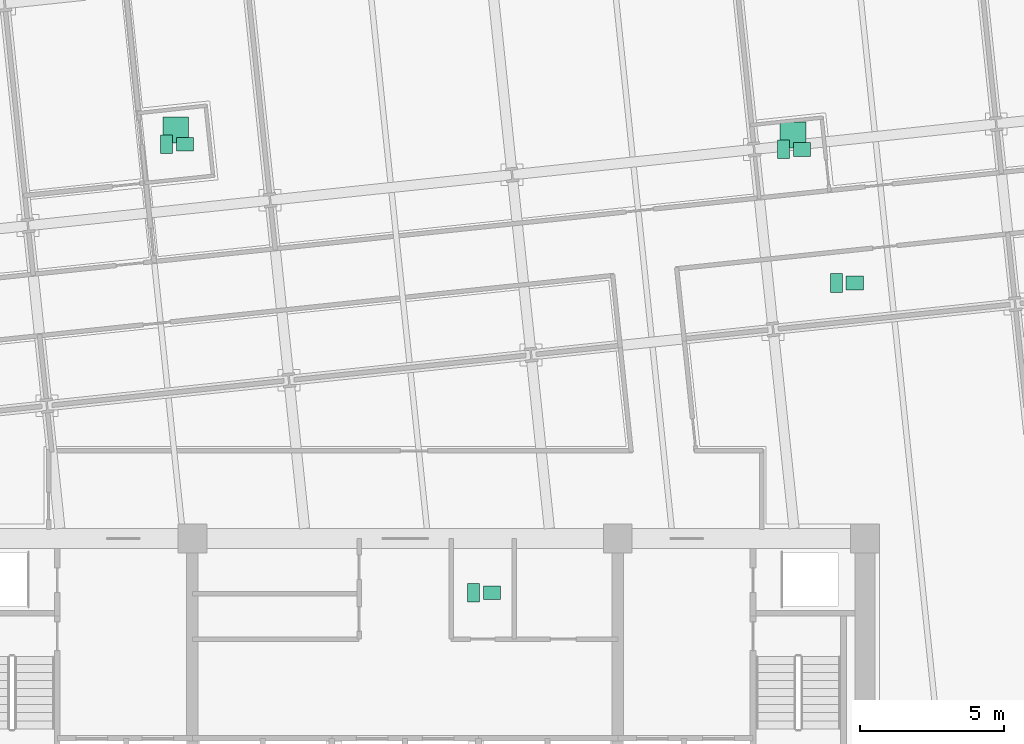
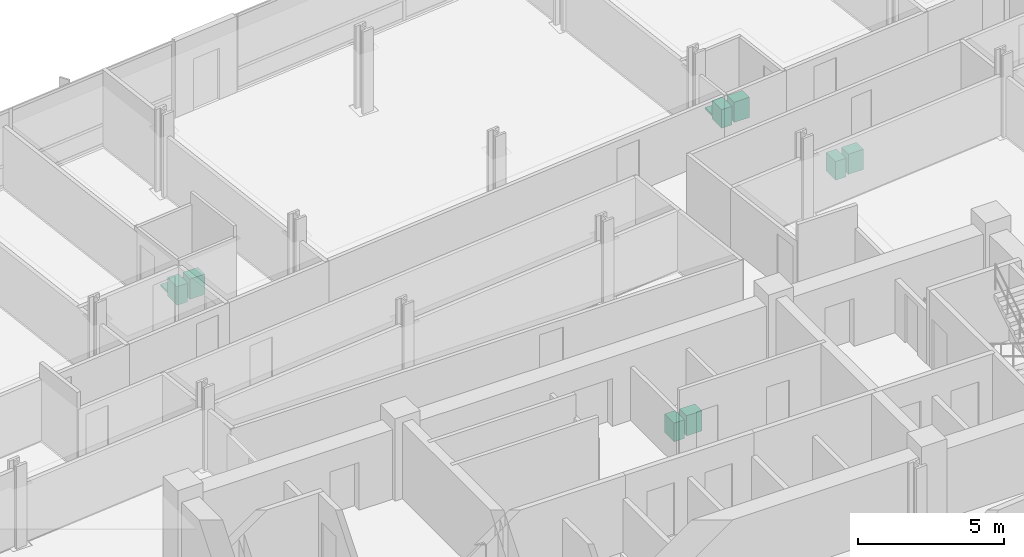
# One storey, part 21 of 21: 10 sanitary terminals.
"""IFC4 building model written with IfcOpenShell, lengths in metres."""

from ifc_helpers import new_model, si_unit, direction, frame, origin, origin_2d, place, context, subcontext, project, spatial, rectangle, extrude, material, type_object, element, save


model = new_model("IFC4")

# Units and contexts
model_context = context("Model", 3, precision=1e-05, world=origin(), true_north=direction((0.0, 1.0)))
body_context = subcontext(model_context, "Body", "Model", "MODEL_VIEW")
ifc_project = project(units=[si_unit("LENGTHUNIT", "METRE"), si_unit("AREAUNIT", "SQUARE_METRE"), si_unit("VOLUMEUNIT", "CUBIC_METRE"), si_unit("PLANEANGLEUNIT", "RADIAN"), si_unit("MASSUNIT", "GRAM", prefix="KILO")], contexts=[model_context])

# Site, building, storey
site_placement = place(None, origin())
site = spatial("IfcSite", under=ifc_project, at=site_placement, CompositionType="ELEMENT")
building_placement = place(site_placement, origin())
building = spatial("IfcBuilding", under=site, at=building_placement, Name="Solmavex Isthmus Hotel", CompositionType="ELEMENT")
storey_placement = place(building_placement, frame((0.0, 0.0, 106.35009765625)))
storey = spatial("IfcBuildingStorey", under=building, at=storey_placement, Name="L28", CompositionType="ELEMENT", Elevation=106.35009765625)

# Sanitary terminals
ifc_material = material(Name="Vitreous china ceramic", Category="ceramic")
sanitary_terminal_type_1 = type_object("IfcSanitaryTerminalType", Name="SAN-BASIN", PredefinedType="WASHHANDBASIN", material=ifc_material)
for number, where, z_axis, x_axis, name in (
    (1, (3.02001953125, -4.385009765625, -0.000244140625), (0.0, 0.0, 1.0), (1.0, 0.0, 0.0), "Vanity Washbasin L28-129"),
    (2, (-7.65673828125, 11.2119140625, -0.000244140625), (0.0, 0.0, 1.0), (1.0, 0.0, 0.0), "Vanity Washbasin L28-130"),
    (3, (13.805908203125, 11.036865234375, -0.000244140625), (0.0, 0.0, 1.0), (1.0, 0.0, 0.0), "Vanity Washbasin L28-131"),
    (4, (15.6416015625, 6.38818359375, -0.000244140625), (0.0, 0.0, 1.0), (1.0, 0.0, 0.0), "Vanity Washbasin L28-132"),
):
    element("IfcSanitaryTerminal", number, at=place(storey_placement, frame(where, z_axis=z_axis, x_axis=x_axis)), inside=storey, type_object=sanitary_terminal_type_1, Name=name, PredefinedType="WASHHANDBASIN", context=body_context, shape_type="SweptSolid", body=[
        extrude(rectangle(XDim=0.60009765625, YDim=0.47998046875, at=origin_2d()), origin(), (0.0, 0.0, 1.0), 0.85009765625),
    ])
sanitary_terminal_type_2 = type_object("IfcSanitaryTerminalType", Name="SAN-SHOWER", PredefinedType="SHOWER", material=ifc_material)
for number, where, z_axis, x_axis, name in (
    (5, (-7.976806640625, 11.7119140625, -0.000244140625), (0.0, 0.0, 1.0), (1.0, 0.0, 0.0), "Walk-In Shower L28-130"),
    (6, (13.48583984375, 11.536865234375, -0.000244140625), (0.0, 0.0, 1.0), (1.0, 0.0, 0.0), "Walk-In Shower L28-131"),
):
    element("IfcSanitaryTerminal", number, at=place(storey_placement, frame(where, z_axis=z_axis, x_axis=x_axis)), inside=storey, type_object=sanitary_terminal_type_2, Name=name, PredefinedType="SHOWER", context=body_context, shape_type="SweptSolid", body=[
        extrude(rectangle(XDim=0.89990234375, YDim=0.89990234375, at=origin_2d()), origin(), (0.0, 0.0, 1.0), 0.080078125),
    ])
sanitary_terminal_type_3 = type_object("IfcSanitaryTerminalType", Name="SAN-WC-SUITE", PredefinedType="TOILETPAN", material=ifc_material)
for number, where, z_axis, x_axis, name in (
    (7, (2.3798828125, -4.385009765625, 0.0), (0.0, 0.0, 1.0), (1.0, 0.0, 0.0), "Water Closet L28-129"),
    (8, (-8.296630859375, 11.2119140625, 0.0), (0.0, 0.0, 1.0), (1.0, 0.0, 0.0), "Water Closet L28-130"),
    (9, (13.165771484375, 11.036865234375, 0.0), (0.0, 0.0, 1.0), (1.0, 0.0, 0.0), "Water Closet L28-131"),
    (10, (15.001708984375, 6.38818359375, 0.0), (0.0, 0.0, 1.0), (1.0, 0.0, 0.0), "Water Closet L28-132"),
):
    element("IfcSanitaryTerminal", number, at=place(storey_placement, frame(where, z_axis=z_axis, x_axis=x_axis)), inside=storey, type_object=sanitary_terminal_type_3, Name=name, PredefinedType="TOILETPAN", context=body_context, shape_type="SweptSolid", body=[
        extrude(rectangle(XDim=0.419921875, YDim=0.64990234375, at=origin_2d()), origin(), (0.0, 0.0, 1.0), 0.780029296875),
    ])

save(model, "model.ifc")
